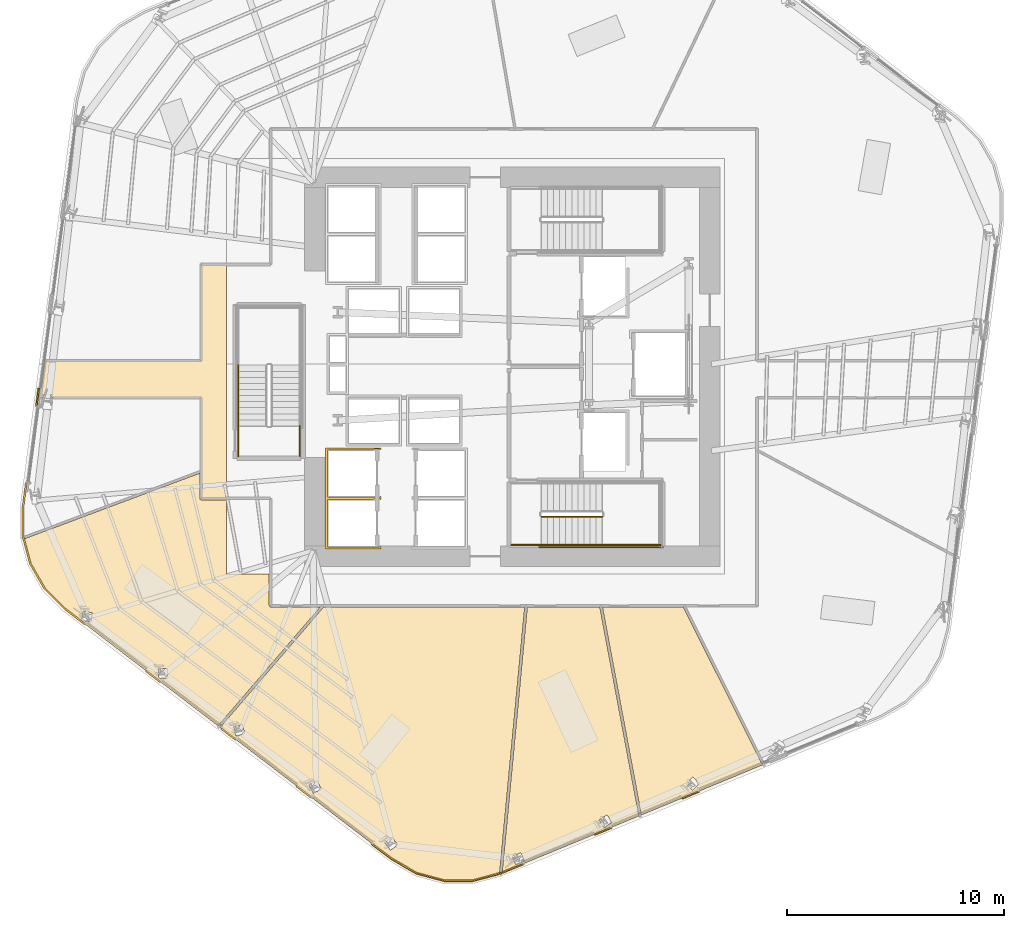
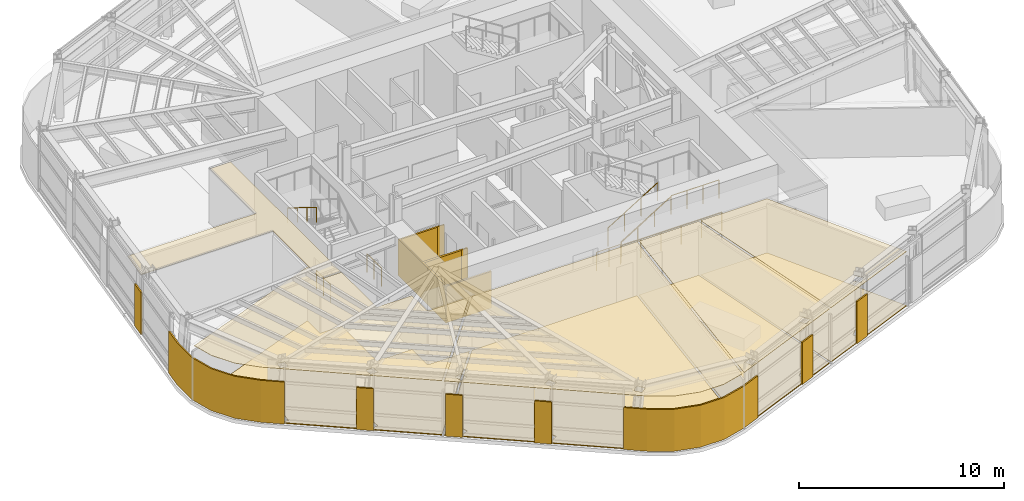
# One storey, part 12 of 18: 18 coverings, 8 railings.
"""IFC4 building model written with IfcOpenShell, lengths in metres."""

from ifc_helpers import new_model, si_unit, direction, frame, origin, origin_2d, place, context, subcontext, project, spatial, polyline, circle, outline, extrude, material, layer, layer_set, type_object, element, save


model = new_model("IFC4")

# Units and contexts
model_context = context("Model", 3, precision=1e-05, world=origin(), true_north=direction((0.0, 1.0)))
body_context = subcontext(model_context, "Body", "Model", "MODEL_VIEW")
ifc_project = project(units=[si_unit("LENGTHUNIT", "METRE"), si_unit("AREAUNIT", "SQUARE_METRE"), si_unit("VOLUMEUNIT", "CUBIC_METRE"), si_unit("PLANEANGLEUNIT", "RADIAN"), si_unit("MASSUNIT", "GRAM", prefix="KILO")], contexts=[model_context])

# Site, building, storey
site_placement = place(None, origin())
site = spatial("IfcSite", under=ifc_project, at=site_placement, CompositionType="ELEMENT")
building_placement = place(site_placement, origin())
building = spatial("IfcBuilding", under=site, at=building_placement, Name="Valkerne Bourse Tower", CompositionType="ELEMENT")
storey_placement = place(building_placement, frame((0.0, 0.0, 120.0)))
storey = spatial("IfcBuildingStorey", under=building, at=storey_placement, Name="L30", CompositionType="ELEMENT", Elevation=120.0)

# Coverings
ifc_material_1 = material(Name="Mineral Fiber Acoustic Ceiling Tile", Category="acoustic")
ifc_layer_1 = layer(ifc_material_1, 0.02490234375)
ifc_layer_set_1 = layer_set([ifc_layer_1], Name="Mineral Fiber Acoustic Ceiling Tile")
covering_type_1 = type_object("IfcCoveringType", Name="COV-CEIL-ACT", PredefinedType="CEILING", material=ifc_layer_set_1)
covering_1_placement = place(storey_placement, frame((0.0, 0.0, 3.22998046875)))
element("IfcCovering", 1, at=covering_1_placement, inside=storey, type_object=covering_type_1, Name="L30 Suspended Ceiling 03", PredefinedType="CEILING", context=body_context, shape_type="SweptSolid", body=[
    extrude(outline(polyline([(54.702880859375, 15.781005859375), (58.35302734375, 8.49169921875), (52.76171875, 6.182861328125), (50.965576171875, 15.781005859375), (54.702880859375, 15.781005859375)]), holes=[polyline([(55.12939453125, 7.328369140625), (55.43115234375, 7.6357421875), (55.134765625, 7.928466796875), (55.1318359375, 7.92724609375), (54.830078125, 7.6201171875), (55.126708984375, 7.3271484375), (55.12939453125, 7.328369140625)])]), origin(), (0.0, 0.0, 1.0), 0.02490234375),
])
covering_2_placement = place(storey_placement, frame((0.0, 0.0, 3.22998046875)))
element("IfcCovering", 2, at=covering_2_placement, inside=storey, type_object=covering_type_1, Name="L30 Suspended Ceiling 05", PredefinedType="CEILING", context=body_context, shape_type="SweptSolid", body=[
    extrude(outline(polyline([(50.845458984375, 15.781005859375), (52.650390625, 6.13671875), (46.336669921875, 3.529296875), (47.494873046875, 15.781005859375), (50.845458984375, 15.781005859375)]), holes=[polyline([(46.9619140625, 3.888916015625), (47.3583984375, 4.056884765625), (47.197021484375, 4.44091796875), (47.193603515625, 4.44091796875), (46.79736328125, 4.27294921875), (46.958740234375, 3.888916015625), (46.9619140625, 3.888916015625)]), polyline([(51.400146484375, 5.843017578125), (51.16943359375, 6.18994140625), (51.16650390625, 6.189208984375), (50.808349609375, 5.94970703125), (51.0390625, 5.602783203125), (51.0419921875, 5.603515625), (51.400146484375, 5.843017578125)])]), origin(), (0.0, 0.0, 1.0), 0.02490234375),
])
covering_3_placement = place(storey_placement, frame((0.0, 0.0, 3.22998046875)))
element("IfcCovering", 3, at=covering_3_placement, inside=storey, type_object=covering_type_1, Name="L30 Suspended Ceiling 06", PredefinedType="CEILING", context=body_context, shape_type="SweptSolid", body=[
    extrude(outline(polyline([(24.558837890625, 17.787353515625), (24.25341796875, 18.92822265625), (32.381103515625, 21.968994140625), (32.381103515625, 20.796630859375), (32.39404296875, 20.75927734375), (32.42626953125, 20.735107421875), (33.60009765625, 20.7333984375), (33.60009765625, 17.300048828125), (35.5810546875, 17.300048828125), (35.5810546875, 15.849365234375), (35.59814453125, 15.80419921875), (35.62109375, 15.787353515625), (35.649658203125, 15.781005859375), (37.93212890625, 15.781005859375), (33.21923828125, 10.298828125), (26.158447265625, 15.705078125), (25.218505859375, 16.64453125), (24.558837890625, 17.787353515625)]), holes=[polyline([(30.898193359375, 12.518310546875), (30.87109375, 12.948486328125), (30.868896484375, 12.95068359375), (30.45361328125, 12.923095703125), (30.480712890625, 12.492919921875), (30.48291015625, 12.490478515625), (30.898193359375, 12.518310546875)]), polyline([(27.397705078125, 15.52880859375), (27.39599609375, 15.531494140625), (26.98291015625, 15.58251953125), (26.9287109375, 15.15478515625), (26.930419921875, 15.152099609375), (27.343505859375, 15.101318359375), (27.397705078125, 15.52880859375)])]), origin(), (0.0, 0.0, 1.0), 0.02490234375),
])
covering_4_placement = place(storey_placement, frame((0.0, 0.0, 3.22998046875)))
element("IfcCovering", 4, at=covering_4_placement, inside=storey, type_object=covering_type_1, Name="L30 Suspended Ceiling 09", PredefinedType="CEILING", context=body_context, shape_type="SweptSolid", body=[
    extrude(outline(polyline([(42.38623046875, 3.4970703125), (41.235107421875, 4.16162109375), (33.31298828125, 10.22705078125), (38.087646484375, 15.781005859375), (47.376220703125, 15.781005859375), (46.214111328125, 3.486083984375), (44.980224609375, 3.155517578125), (43.660888671875, 3.155517578125), (42.38623046875, 3.4970703125)]), holes=[polyline([(37.78955078125, 7.764892578125), (37.78662109375, 7.76611328125), (37.416748046875, 7.5751953125), (37.613037109375, 7.19140625), (37.615966796875, 7.190185546875), (37.98583984375, 7.381103515625), (37.78955078125, 7.764892578125)]), polyline([(34.33349609375, 10.3623046875), (34.330810546875, 10.364013671875), (33.9296875, 10.25244140625), (34.0439453125, 9.836669921875), (34.04638671875, 9.834716796875), (34.447509765625, 9.9462890625), (34.33349609375, 10.3623046875)]), polyline([(41.2470703125, 5.155029296875), (41.243896484375, 5.156005859375), (40.91650390625, 4.898681640625), (41.18115234375, 4.55859375), (41.184326171875, 4.557861328125), (41.51171875, 4.81494140625), (41.2470703125, 5.155029296875)])]), origin(), (0.0, 0.0, 1.0), 0.02490234375),
])
ifc_material_2 = material(Name="Bronze Anodised Aluminium AA 6063-T6", Category="aluminium")
ifc_layer_2 = layer(ifc_material_2, 0.030029296875)
ifc_layer_set_2 = layer_set([ifc_layer_2], Name="Bronze Anodised Aluminium AA 6063-T6")
covering_type_2 = type_object("IfcCoveringType", Name="COV-CEIL-METAL", PredefinedType="CEILING", material=ifc_layer_set_2)
covering_5_placement = place(storey_placement, frame((0.0, 0.0, 3.22998046875)))
element("IfcCovering", 5, at=covering_5_placement, inside=storey, type_object=covering_type_2, Name="L30 Suspended Ceiling 02", PredefinedType="CEILING", context=body_context, shape_type="SweptSolid", body=[
    extrude(outline(polyline([(32.4541015625, 20.803955078125), (32.4541015625, 25.4541015625), (25.030517578125, 25.4541015625), (25.255126953125, 27.14599609375), (32.4541015625, 27.14599609375), (32.4541015625, 31.595947265625), (33.60009765625, 31.595947265625), (33.60009765625, 20.803955078125), (32.4541015625, 20.803955078125)])), origin(), (0.0, 0.0, 1.0), 0.02490234375),
])
ifc_layer_3 = layer(ifc_material_2, 0.06005859375)
ifc_layer_set_3 = layer_set([ifc_layer_3], Name="Bronze Anodised Aluminium AA 6063-T6")
covering_type_3 = type_object("IfcCoveringType", Name="COV-CRN-ALUM", PredefinedType="CLADDING", material=ifc_layer_set_3)
covering_6_placement = place(storey_placement, origin())
element("IfcCovering", 6, at=covering_6_placement, inside=storey, type_object=covering_type_3, Name="L30 Wind-Shaped Corner Aluminium Cladding 03", PredefinedType="CLADDING", context=body_context, shape_type="SweptSolid", body=[
    extrude(outline(polyline([(54.66259765625, 6.920166015625), (54.632080078125, 6.994140625), (55.408447265625, 7.314697265625), (55.439208984375, 7.24072265625), (54.66259765625, 6.920166015625)])), origin(), (0.0, 0.0, 1.0), 2.5),
])
covering_7_placement = place(storey_placement, origin())
element("IfcCovering", 7, at=covering_7_placement, inside=storey, type_object=covering_type_3, Name="L30 Wind-Shaped Corner Aluminium Cladding 04", PredefinedType="CLADDING", context=body_context, shape_type="SweptSolid", body=[
    extrude(outline(polyline([(50.611572265625, 5.247314453125), (50.5810546875, 5.321044921875), (51.357421875, 5.6416015625), (51.387939453125, 5.56787109375), (50.611572265625, 5.247314453125)])), origin(), (0.0, 0.0, 1.0), 2.5),
])
covering_8_placement = place(storey_placement, origin())
element("IfcCovering", 8, at=covering_8_placement, inside=storey, type_object=covering_type_3, Name="L30 Wind-Shaped Corner Aluminium Cladding 05", PredefinedType="CLADDING", context=body_context, shape_type="SweptSolid", body=[
    extrude(outline(polyline([(46.2783203125, 3.457763671875), (44.986083984375, 3.111328125), (43.655029296875, 3.111328125), (42.369140625, 3.4560546875), (41.210693359375, 4.125), (40.30126953125, 4.821044921875), (40.35009765625, 4.884521484375), (41.255126953125, 4.19140625), (42.400146484375, 3.530517578125), (43.66552734375, 3.19140625), (44.9755859375, 3.19140625), (46.252685546875, 3.53369140625), (47.30615234375, 3.96875), (47.3369140625, 3.894775390625), (46.2783203125, 3.457763671875)])), origin(), (0.0, 0.0, 1.0), 2.5),
])
covering_9_placement = place(storey_placement, origin())
element("IfcCovering", 9, at=covering_9_placement, inside=storey, type_object=covering_type_3, Name="L30 Wind-Shaped Corner Aluminium Cladding 06", PredefinedType="CLADDING", context=body_context, shape_type="SweptSolid", body=[
    extrude(outline(polyline([(36.8212890625, 7.485595703125), (36.8701171875, 7.549072265625), (37.536865234375, 7.038330078125), (37.48828125, 6.974853515625), (36.8212890625, 7.485595703125)])), origin(), (0.0, 0.0, 1.0), 2.5),
])
covering_10_placement = place(storey_placement, origin())
element("IfcCovering", 10, at=covering_10_placement, inside=storey, type_object=covering_type_3, Name="L30 Wind-Shaped Corner Aluminium Cladding 07", PredefinedType="CLADDING", context=body_context, shape_type="SweptSolid", body=[
    extrude(outline(polyline([(33.34130859375, 10.150146484375), (33.389892578125, 10.21337890625), (34.056884765625, 9.702880859375), (34.008056640625, 9.639404296875), (33.34130859375, 10.150146484375)])), origin(), (0.0, 0.0, 1.0), 2.5),
])
covering_11_placement = place(storey_placement, origin())
element("IfcCovering", 11, at=covering_11_placement, inside=storey, type_object=covering_type_3, Name="L30 Wind-Shaped Corner Aluminium Cladding 08", PredefinedType="CLADDING", context=body_context, shape_type="SweptSolid", body=[
    extrude(outline(polyline([(29.861083984375, 12.814697265625), (29.909912109375, 12.878173828125), (30.57666015625, 12.367431640625), (30.528076171875, 12.303955078125), (29.861083984375, 12.814697265625)])), origin(), (0.0, 0.0, 1.0), 2.5),
])
covering_12_placement = place(storey_placement, origin())
element("IfcCovering", 12, at=covering_12_placement, inside=storey, type_object=covering_type_3, Name="L30 Wind-Shaped Corner Aluminium Cladding 09", PredefinedType="CLADDING", context=body_context, shape_type="SweptSolid", body=[
    extrude(outline(polyline([(26.12939453125, 15.671875), (25.183349609375, 16.61767578125), (24.517822265625, 17.7705078125), (24.17333984375, 19.056396484375), (24.17333984375, 20.393798828125), (24.32568359375, 21.540771484375), (24.40478515625, 21.530517578125), (24.25341796875, 20.388671875), (24.25341796875, 19.06689453125), (24.59228515625, 17.80126953125), (25.247314453125, 16.666748046875), (26.18212890625, 15.732177734375), (27.0966796875, 15.031982421875), (27.0478515625, 14.968505859375), (26.12939453125, 15.671875)])), origin(), (0.0, 0.0, 1.0), 2.5),
])
covering_13_placement = place(storey_placement, origin())
element("IfcCovering", 13, at=covering_13_placement, inside=storey, type_object=covering_type_3, Name="L30 Wind-Shaped Corner Aluminium Cladding 10", PredefinedType="CLADDING", context=body_context, shape_type="SweptSolid", body=[
    extrude(outline(polyline([(24.90234375, 25.8857421875), (24.981689453125, 25.875244140625), (24.87109375, 25.04248046875), (24.791748046875, 25.052978515625), (24.90234375, 25.8857421875)])), origin(), (0.0, 0.0, 1.0), 2.5),
])
ifc_material_3 = material(Name="Galvanised Painted Steel", Category="steel")
ifc_layer_4 = layer(ifc_material_3, 0.044921875)
ifc_layer_set_4 = layer_set([ifc_layer_4], Name="Galvanised Painted Steel")
covering_type_4 = type_object("IfcCoveringType", Name="COV-FLR-RAF", PredefinedType="FLOORING", material=ifc_layer_set_4)
covering_14_placement = place(storey_placement, origin())
element("IfcCovering", 14, at=covering_14_placement, inside=storey, type_object=covering_type_4, Name="L30 Floor Finish 05", PredefinedType="FLOORING", context=body_context, shape_type="SweptSolid", body=[
    extrude(outline(polyline([(50.845458984375, 15.781005859375), (52.650390625, 6.13671875), (46.336669921875, 3.529296875), (47.494873046875, 15.781005859375), (50.845458984375, 15.781005859375)]), holes=[polyline([(46.9619140625, 3.888916015625), (47.3583984375, 4.056884765625), (47.197021484375, 4.44091796875), (47.193603515625, 4.44091796875), (46.79736328125, 4.27294921875), (46.958740234375, 3.888916015625), (46.9619140625, 3.888916015625)]), polyline([(51.400146484375, 5.843017578125), (51.16943359375, 6.18994140625), (51.16650390625, 6.189208984375), (50.808349609375, 5.94970703125), (51.0390625, 5.602783203125), (51.0419921875, 5.603515625), (51.400146484375, 5.843017578125)])]), origin(), (0.0, 0.0, 1.0), 0.044921875),
])
covering_15_placement = place(storey_placement, origin())
element("IfcCovering", 15, at=covering_15_placement, inside=storey, type_object=covering_type_4, Name="L30 Floor Finish 06", PredefinedType="FLOORING", context=body_context, shape_type="SweptSolid", body=[
    extrude(outline(polyline([(24.558837890625, 17.787353515625), (24.25341796875, 18.92822265625), (32.381103515625, 21.968994140625), (32.381103515625, 20.796630859375), (32.39404296875, 20.75927734375), (32.42626953125, 20.735107421875), (33.60009765625, 20.7333984375), (33.60009765625, 17.300048828125), (35.5810546875, 17.300048828125), (35.5810546875, 15.849365234375), (35.59814453125, 15.80419921875), (35.62109375, 15.787353515625), (35.649658203125, 15.781005859375), (37.93212890625, 15.781005859375), (33.21923828125, 10.298828125), (26.158447265625, 15.705078125), (25.218505859375, 16.64453125), (24.558837890625, 17.787353515625)]), holes=[polyline([(30.898193359375, 12.518310546875), (30.87109375, 12.948486328125), (30.868896484375, 12.95068359375), (30.45361328125, 12.923095703125), (30.480712890625, 12.492919921875), (30.48291015625, 12.490478515625), (30.898193359375, 12.518310546875)]), polyline([(27.397705078125, 15.52880859375), (27.39599609375, 15.531494140625), (26.98291015625, 15.58251953125), (26.9287109375, 15.15478515625), (26.930419921875, 15.152099609375), (27.343505859375, 15.101318359375), (27.397705078125, 15.52880859375)])]), origin(), (0.0, 0.0, 1.0), 0.044921875),
])
covering_16_placement = place(storey_placement, origin())
element("IfcCovering", 16, at=covering_16_placement, inside=storey, type_object=covering_type_4, Name="L30 Floor Finish 09", PredefinedType="FLOORING", context=body_context, shape_type="SweptSolid", body=[
    extrude(outline(polyline([(42.38623046875, 3.4970703125), (41.235107421875, 4.16162109375), (33.31298828125, 10.22705078125), (38.087646484375, 15.781005859375), (47.376220703125, 15.781005859375), (46.214111328125, 3.486083984375), (44.980224609375, 3.155517578125), (43.660888671875, 3.155517578125), (42.38623046875, 3.4970703125)]), holes=[polyline([(37.78955078125, 7.764892578125), (37.78662109375, 7.76611328125), (37.416748046875, 7.5751953125), (37.613037109375, 7.19140625), (37.615966796875, 7.190185546875), (37.98583984375, 7.381103515625), (37.78955078125, 7.764892578125)]), polyline([(34.33349609375, 10.3623046875), (34.330810546875, 10.364013671875), (33.9296875, 10.25244140625), (34.0439453125, 9.836669921875), (34.04638671875, 9.834716796875), (34.447509765625, 9.9462890625), (34.33349609375, 10.3623046875)]), polyline([(41.2470703125, 5.155029296875), (41.243896484375, 5.156005859375), (40.91650390625, 4.898681640625), (41.18115234375, 4.55859375), (41.184326171875, 4.557861328125), (41.51171875, 4.81494140625), (41.2470703125, 5.155029296875)])]), origin(), (0.0, 0.0, 1.0), 0.044921875),
])
ifc_material_4 = material(Name="Polished Granite Stone", Category="masonry")
ifc_layer_5 = layer(ifc_material_4, 0.030029296875)
ifc_layer_set_5 = layer_set([ifc_layer_5], Name="Polished Granite Stone")
covering_type_5 = type_object("IfcCoveringType", Name="COV-FLR-TERRAZZO", PredefinedType="FLOORING", material=ifc_layer_set_5)
covering_17_placement = place(storey_placement, origin())
element("IfcCovering", 17, at=covering_17_placement, inside=storey, type_object=covering_type_5, Name="L30 Floor Finish 03", PredefinedType="FLOORING", context=body_context, shape_type="SweptSolid", body=[
    extrude(outline(polyline([(54.702880859375, 15.781005859375), (58.35302734375, 8.49169921875), (52.76171875, 6.182861328125), (50.965576171875, 15.781005859375), (54.702880859375, 15.781005859375)]), holes=[polyline([(55.12939453125, 7.328369140625), (55.43115234375, 7.6357421875), (55.134765625, 7.928466796875), (55.1318359375, 7.92724609375), (54.830078125, 7.6201171875), (55.126708984375, 7.3271484375), (55.12939453125, 7.328369140625)])]), origin(), (0.0, 0.0, 1.0), 0.030029296875),
])
ifc_material_5 = material(Name="Gypsum Shaftwall Liner Board", Category="gypsum")
ifc_layer_6 = layer(ifc_material_5, 0.080078125)
ifc_layer_set_6 = layer_set([ifc_layer_6], Name="Gypsum Shaftwall Liner Board")
covering_type_6 = type_object("IfcCoveringType", Name="COV-SHF-CLAD", PredefinedType="CLADDING", material=ifc_layer_set_6)
covering_18_placement = place(storey_placement, origin())
element("IfcCovering", 18, at=covering_18_placement, inside=storey, type_object=covering_type_6, Name="L30 Hoistway & Riser Shaftwall Liner 01", PredefinedType="CLADDING", context=body_context, shape_type="SweptSolid", body=[
    extrude(outline(polyline([(38.169921875, 23.1298828125), (40.72998046875, 23.1298828125), (40.72998046875, 23.052001953125), (40.72216796875, 23.0556640625), (40.6806640625, 23.070556640625), (40.6376953125, 23.081298828125), (40.593994140625, 23.087890625), (40.550048828125, 23.090087890625), (40.505859375, 23.087890625), (40.462158203125, 23.081298828125), (40.41943359375, 23.070556640625), (40.377685546875, 23.0556640625), (40.344482421875, 23.0400390625), (38.260009765625, 23.0400390625), (38.260009765625, 20.860107421875), (40.456787109375, 20.860107421875), (40.462158203125, 20.858642578125), (40.505859375, 20.852294921875), (40.550048828125, 20.85009765625), (40.593994140625, 20.852294921875), (40.6376953125, 20.858642578125), (40.6806640625, 20.869384765625), (40.72216796875, 20.88427734375), (40.72998046875, 20.887939453125), (40.72998046875, 20.830078125), (40.72998046875, 20.77001953125), (40.72998046875, 20.752197265625), (40.72216796875, 20.755615234375), (40.6806640625, 20.7705078125), (40.6376953125, 20.781494140625), (40.593994140625, 20.787841796875), (40.550048828125, 20.7900390625), (40.505859375, 20.787841796875), (40.462158203125, 20.781494140625), (40.41943359375, 20.7705078125), (40.377685546875, 20.755615234375), (40.344482421875, 20.739990234375), (38.260009765625, 20.739990234375), (38.260009765625, 18.56005859375), (40.456787109375, 18.56005859375), (40.462158203125, 18.55859375), (40.505859375, 18.55224609375), (40.550048828125, 18.550048828125), (40.593994140625, 18.55224609375), (40.6376953125, 18.55859375), (40.6806640625, 18.5693359375), (40.72216796875, 18.584228515625), (40.72998046875, 18.587890625), (40.72998046875, 18.469970703125), (38.169921875, 18.469970703125), (38.169921875, 20.77001953125), (38.169921875, 20.830078125), (38.169921875, 23.1298828125)])), origin(), (0.0, 0.0, 1.0), 2.179931640625),
])

# Railings
railing_type_1 = type_object("IfcRailingType", Name="RLG-ST-GUARD-1120", PredefinedType="GUARDRAIL", material=ifc_material_3)
railing_1_placement = place(storey_placement, frame((48.14990234375, 19.949951171875, 0.172607421875)))
element("IfcRailing", 19, at=railing_1_placement, inside=storey, type_object=railing_type_1, Name="L30 ST-1 stair guard 1", PredefinedType="GUARDRAIL", context=body_context, shape_type="SweptSolid", body=[
    extrude(circle(Radius=0.02392578125, at=origin_2d()), frame((0.0, 0.0, 1.09619140625), z_axis=(0.851089632645, 0.0, 0.525020415988), x_axis=(0.0, 1.0, 0.0)), (0.0, 0.0, 1.0), 3.2900390625),
    extrude(circle(Radius=0.02099609375, at=origin_2d()), origin(), (0.0, 0.0, 1.0), 1.072021484375),
    extrude(circle(Radius=0.02099609375, at=origin_2d()), frame((0.933349609375, 0.0, 0.57568359375)), (0.0, 0.0, 1.0), 1.072021484375),
    extrude(circle(Radius=0.02099609375, at=origin_2d()), frame((1.86669921875, 0.0, 1.151611328125)), (0.0, 0.0, 1.0), 1.072021484375),
    extrude(circle(Radius=0.02099609375, at=origin_2d()), frame((2.800048828125, 0.0, 1.727294921875)), (0.0, 0.0, 1.0), 1.072021484375),
])
railing_2_placement = place(storey_placement, frame((50.949951171875, 18.64990234375, 1.89990234375)))
element("IfcRailing", 20, at=railing_2_placement, inside=storey, type_object=railing_type_1, Name="L30 ST-1 stair guard 3", PredefinedType="GUARDRAIL", context=body_context, shape_type="SweptSolid", body=[
    extrude(circle(Radius=0.02392578125, at=origin_2d()), frame((0.0, 0.0, 1.09619140625), z_axis=(1.0, 0.0, 0.0), x_axis=(0.0, 1.0, 0.0)), (0.0, 0.0, 1.0), 2.699951171875),
    extrude(circle(Radius=0.02099609375, at=origin_2d()), origin(), (0.0, 0.0, 1.0), 1.072021484375),
    extrude(circle(Radius=0.02099609375, at=origin_2d()), frame((0.89990234375, 0.0, 0.0)), (0.0, 0.0, 1.0), 1.072021484375),
    extrude(circle(Radius=0.02099609375, at=origin_2d()), frame((1.800048828125, 0.0, 0.0)), (0.0, 0.0, 1.0), 1.072021484375),
    extrude(circle(Radius=0.02099609375, at=origin_2d()), frame((2.699951171875, 0.0, 0.0)), (0.0, 0.0, 1.0), 1.072021484375),
])
railing_3_placement = place(storey_placement, frame((46.75, 18.64990234375, 0.0)))
element("IfcRailing", 21, at=railing_3_placement, inside=storey, type_object=railing_type_1, Name="L30 ST-1 stair guard 8", PredefinedType="GUARDRAIL", context=body_context, shape_type="SweptSolid", body=[
    extrude(circle(Radius=0.02392578125, at=origin_2d()), frame((0.0, 0.0, 1.09619140625), z_axis=(1.0, 0.0, 0.0), x_axis=(0.0, 1.0, 0.0)), (0.0, 0.0, 1.0), 1.39990234375),
    extrude(circle(Radius=0.02099609375, at=origin_2d()), origin(), (0.0, 0.0, 1.0), 1.072021484375),
    extrude(circle(Radius=0.02099609375, at=origin_2d()), frame((0.699951171875, 0.0, 0.0)), (0.0, 0.0, 1.0), 1.072021484375),
    extrude(circle(Radius=0.02099609375, at=origin_2d()), frame((1.39990234375, 0.0, 0.0)), (0.0, 0.0, 1.0), 1.072021484375),
])
railing_4_placement = place(storey_placement, frame((48.050048828125, 18.550048828125, 0.0)))
element("IfcRailing", 22, at=railing_4_placement, inside=storey, type_object=railing_type_1, Name="L30 ST-1 stair guard 10", PredefinedType="GUARDRAIL", context=body_context, shape_type="SweptSolid", body=[
    extrude(circle(Radius=0.02392578125, at=origin_2d()), frame((0.0, 0.0, 1.09619140625), z_axis=(1.0, 0.0, 0.0), x_axis=(0.0, 1.0, 0.0)), (0.0, 0.0, 1.0), 5.699951171875),
    extrude(circle(Radius=0.02099609375, at=origin_2d()), origin(), (0.0, 0.0, 1.0), 1.072021484375),
    extrude(circle(Radius=0.02099609375, at=origin_2d()), frame((1.139892578125, 0.0, 0.0)), (0.0, 0.0, 1.0), 1.072021484375),
    extrude(circle(Radius=0.02099609375, at=origin_2d()), frame((2.280029296875, 0.0, 0.0)), (0.0, 0.0, 1.0), 1.072021484375),
    extrude(circle(Radius=0.02099609375, at=origin_2d()), frame((3.419921875, 0.0, 0.0)), (0.0, 0.0, 1.0), 1.072021484375),
    extrude(circle(Radius=0.02099609375, at=origin_2d()), frame((4.56005859375, 0.0, 0.0)), (0.0, 0.0, 1.0), 1.072021484375),
    extrude(circle(Radius=0.02099609375, at=origin_2d()), frame((5.699951171875, 0.0, 0.0)), (0.0, 0.0, 1.0), 1.072021484375),
])
for number, where, name in (
    (23, (37.0, 22.75, 0.0), "L30 ST-3 stair guard 8"),
    (24, (34.14990234375, 22.75, 0.0), "L30 ST-3 stair guard 9"),
):
    element("IfcRailing", number, at=place(storey_placement, frame(where)), inside=storey, type_object=railing_type_1, Name=name, PredefinedType="GUARDRAIL", context=body_context, shape_type="SweptSolid", body=[
        extrude(circle(Radius=0.02392578125, at=origin_2d()), frame((0.0, 0.0, 1.09619140625), z_axis=(0.0, 1.0, 0.0), x_axis=(-1.0, 0.0, 0.0)), (0.0, 0.0, 1.0), 1.39990234375),
        extrude(circle(Radius=0.02099609375, at=origin_2d()), origin(), (0.0, 0.0, 1.0), 1.072021484375),
        extrude(circle(Radius=0.02099609375, at=origin_2d()), frame((0.0, 0.699951171875, 0.0)), (0.0, 0.0, 1.0), 1.072021484375),
        extrude(circle(Radius=0.02099609375, at=origin_2d()), frame((0.0, 1.39990234375, 0.0)), (0.0, 0.0, 1.0), 1.072021484375),
    ])
ifc_material_6 = material(Name="Stainless Steel AISI 316", Category="steel")
railing_type_2 = type_object("IfcRailingType", Name="RLG-ST-HANDRAIL-900", PredefinedType="HANDRAIL", material=ifc_material_6)
railing_5_placement = place(storey_placement, frame((48.14990234375, 18.64990234375, 0.345458984375)))
element("IfcRailing", 25, at=railing_5_placement, inside=storey, type_object=railing_type_2, Name="L30 ST-1 stair handrail 1", PredefinedType="HANDRAIL", context=body_context, shape_type="SweptSolid", body=[
    extrude(circle(Radius=0.02392578125, at=origin_2d()), frame((0.0, 0.0, 0.8759765625), z_axis=(0.851089632645, 0.0, 0.525020415988), x_axis=(0.0, 1.0, 0.0)), (0.0, 0.0, 1.0), 3.2900390625),
    extrude(circle(Radius=0.02099609375, at=origin_2d()), origin(), (0.0, 0.0, 1.0), 0.851806640625),
    extrude(circle(Radius=0.02099609375, at=origin_2d()), frame((0.933349609375, 0.0, 0.57568359375)), (0.0, 0.0, 1.0), 0.851806640625),
    extrude(circle(Radius=0.02099609375, at=origin_2d()), frame((1.86669921875, 0.0, 1.151611328125)), (0.0, 0.0, 1.0), 0.851806640625),
    extrude(circle(Radius=0.02099609375, at=origin_2d()), frame((2.800048828125, 0.0, 1.727294921875)), (0.0, 0.0, 1.0), 0.851806640625),
])
railing_6_placement = place(storey_placement, frame((34.14990234375, 26.949951171875, 2.245361328125)))
element("IfcRailing", 26, at=railing_6_placement, inside=storey, type_object=railing_type_2, Name="L30 ST-3 stair handrail 2", PredefinedType="HANDRAIL", context=body_context, shape_type="SweptSolid", body=[
    extrude(circle(Radius=0.02392578125, at=origin_2d()), frame((0.0, 0.0, 0.8759765625), z_axis=(0.0, -0.851089632645, 0.525020415988), x_axis=(1.0, 0.0, 0.0)), (0.0, 0.0, 1.0), 3.2900390625),
    extrude(circle(Radius=0.02099609375, at=origin_2d()), origin(), (0.0, 0.0, 1.0), 0.851806640625),
    extrude(circle(Radius=0.02099609375, at=origin_2d()), frame((0.0, -0.933349609375, 0.57568359375)), (0.0, 0.0, 1.0), 0.851806640625),
    extrude(circle(Radius=0.02099609375, at=origin_2d()), frame((0.0, -1.86669921875, 1.151611328125)), (0.0, 0.0, 1.0), 0.851806640625),
    extrude(circle(Radius=0.02099609375, at=origin_2d()), frame((0.0, -2.800048828125, 1.727294921875)), (0.0, 0.0, 1.0), 0.851806640625),
])

save(model, "model.ifc")
